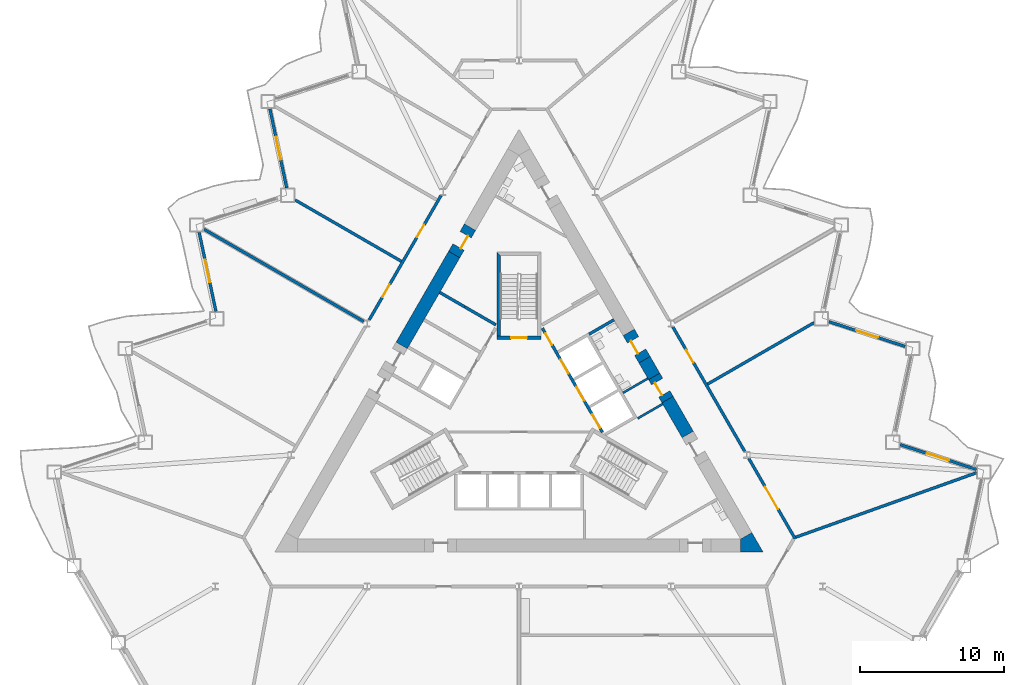
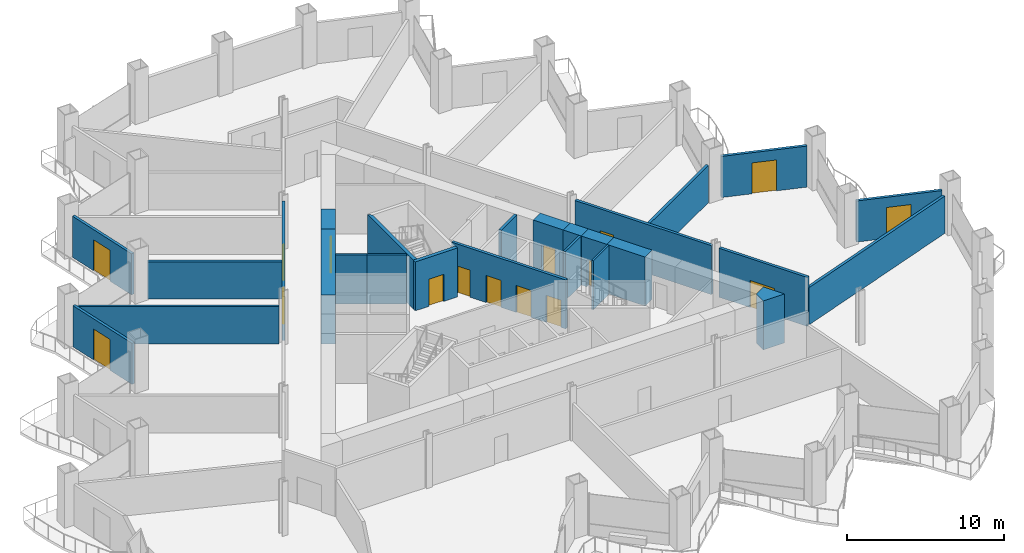
# One storey, part 11 of 21: 26 walls, 16 doors, 16 openings.
"""IFC4 building model written with IfcOpenShell, lengths in metres."""

from ifc_helpers import new_model, si_unit, direction, frame, frame_2d, origin, place, context, subcontext, project, spatial, polyline, rectangle, outline, extrude, material, layer, layer_set, type_object, element, fill, save


model = new_model("IFC4")

# Units and contexts
model_context = context("Model", 3, precision=1e-05, world=origin(), true_north=direction((0.0, 1.0)))
body_context = subcontext(model_context, "Body", "Model", "MODEL_VIEW")
ifc_project = project(units=[si_unit("LENGTHUNIT", "METRE"), si_unit("AREAUNIT", "SQUARE_METRE"), si_unit("VOLUMEUNIT", "CUBIC_METRE"), si_unit("PLANEANGLEUNIT", "RADIAN"), si_unit("MASSUNIT", "GRAM", prefix="KILO")], contexts=[model_context])

# Site, building, storey
site_placement = place(None, origin())
site = spatial("IfcSite", under=ifc_project, at=site_placement, CompositionType="ELEMENT")
building_placement = place(site_placement, origin())
building = spatial("IfcBuilding", under=site, at=building_placement, Name="Cormorant Prow Tower", CompositionType="ELEMENT")
storey_placement = place(building_placement, frame((0.0, 0.0, 80.39990234375)))
storey = spatial("IfcBuildingStorey", under=building, at=storey_placement, Name="L17", CompositionType="ELEMENT", Elevation=80.39990234375)

# Walls
ifc_material_1 = material(Name="Gypsum board partition")
ifc_layer_1 = layer(ifc_material_1, 0.14990234375)
ifc_layer_set_1 = layer_set([ifc_layer_1], Name="Gypsum board partition")
wall_type_1 = type_object("IfcWallType", Name="Core partition 150", PredefinedType="PARTITIONING", material=ifc_layer_set_1)
wall_1_placement = place(storey_placement, frame((8.268310546875, -0.509033203125, 0.0), z_axis=(0.0, 0.0, 1.0), x_axis=(0.866035824272, 0.499981950752, 0.0)))
element("IfcWall", 1, at=wall_1_placement, inside=storey, type_object=wall_type_1, Name="Service room partition", PredefinedType="PARTITIONING", context=body_context, shape_type="SweptSolid", body=[
    extrude(rectangle(XDim=2.0087890625, YDim=0.14990234375, at=frame_2d((1.00439453125, 0.0))), origin(), (0.0, 0.0, 1.0), 3.800048828125),
])
wall_2_placement = place(storey_placement, frame((8.980712890625, 2.275146484375, 0.0), z_axis=(0.0, 0.0, 1.0), x_axis=(-0.866013584312, -0.500020471368, 0.0)))
element("IfcWall", 2, at=wall_2_placement, inside=storey, type_object=wall_type_1, Name="Service room partition", PredefinedType="PARTITIONING", context=body_context, shape_type="SweptSolid", body=[
    extrude(rectangle(XDim=2.00927734375, YDim=0.14990234375, at=frame_2d((1.004638671875, 0.0))), origin(), (0.0, 0.0, 1.0), 3.800048828125),
])
ifc_material_2 = material(Name="Concrete 8000 psi", Category="concrete")
ifc_layer_2 = layer(ifc_material_2, 0.89990234375)
ifc_layer_set_2 = layer_set([ifc_layer_2], Name="Concrete 8000 psi")
wall_type_2 = type_object("IfcWallType", Name="Core shear wall 900", PredefinedType="SHEAR", material=ifc_layer_set_2)
wall_3_placement = place(storey_placement, frame((11.7548828125, -1.63037109375, 0.0), z_axis=(0.0, 0.0, 1.0), x_axis=(-0.499943114462, 0.866058244174, 0.0)))
element("IfcWall", 3, at=wall_3_placement, inside=storey, type_object=wall_type_2, Name="Core wall", PredefinedType="SHEAR", context=body_context, shape_type="SweptSolid", body=[
    extrude(rectangle(XDim=2.809326171875, YDim=0.89990234375, at=frame_2d((1.40478515625, 0.0))), origin(), (0.0, 0.0, 1.0), 3.800048828125),
])
wall_4_placement = place(storey_placement, frame((9.417724609375, 2.417724609375, 0.0), z_axis=(0.0, 0.0, 1.0), x_axis=(-0.49995335277, 0.8660523339, 0.0)))
element("IfcWall", 4, at=wall_4_placement, inside=storey, type_object=wall_type_2, Name="Core wall", PredefinedType="SHEAR", context=body_context, shape_type="SweptSolid", body=[
    extrude(rectangle(XDim=1.342529296875, YDim=0.89990234375, at=frame_2d((0.67138671875, 0.0))), origin(), (0.0, 0.0, 1.0), 3.800048828125),
])
wall_5_placement = place(storey_placement, frame((-4.514404296875, 10.910888671875, 0.0), z_axis=(0.0, 0.0, 1.0), x_axis=(-0.500006662879, -0.866021556935, 0.0)))
element("IfcWall", 5, at=wall_5_placement, inside=storey, type_object=wall_type_2, Name="Core wall", PredefinedType="SHEAR", context=body_context, shape_type="SweptSolid", body=[
    extrude(rectangle(XDim=7.31201171875, YDim=0.89990234375, at=frame_2d((3.656005859375, 0.0))), origin(), (0.0, 0.0, 1.0), 3.800048828125),
])
wall_6_placement = place(storey_placement, origin())
element("IfcWall", 6, at=wall_6_placement, inside=storey, type_object=wall_type_2, Name="Core wall corner", PredefinedType="SHEAR", context=body_context, shape_type="SweptSolid", body=[
    extrude(outline(polyline([(15.441162109375, -9.81494140625), (15.441162109375, -8.9150390625), (16.220703125, -8.465087890625), (17.0, -9.81494140625), (15.441162109375, -9.81494140625)])), origin(), (0.0, 0.0, 1.0), 3.800048828125),
])

# Wall, opening, door
wall_7_placement = place(storey_placement, frame((10.350341796875, 0.802734375, 0.0), z_axis=(0.0, 0.0, 1.0), x_axis=(-0.500081290722, 0.865978465477, 0.0)))
wall_7 = element("IfcWall", 7, at=wall_7_placement, inside=storey, type_object=wall_type_2, Name="Core wall door panel", PredefinedType="SHEAR", context=body_context, shape_type="SweptSolid", body=[
    extrude(rectangle(XDim=1.864990234375, YDim=0.89990234375, at=frame_2d((0.9326171875, 0.0))), origin(), (0.0, 0.0, 1.0), 3.800048828125),
])
opening_1_placement = place(wall_7_placement, frame((0.449951171875, 0.0, 0.0)))
opening_1 = element("IfcOpeningElement", 8, at=opening_1_placement, cuts=wall_7, Name="Opening L17-C18", PredefinedType="OPENING", context=body_context, shape_type="SweptSolid", body=[
    extrude(rectangle(XDim=1.0, YDim=2.10009765625, at=frame_2d((0.5, 1.050048828125))), frame((0.0, 0.4599609375, 0.0), z_axis=(0.0, -1.0, 0.0), x_axis=(1.0, 0.0, 0.0)), (0.0, 0.0, 1.0), 0.919921875),
])
ifc_material_3 = material(Name="Painted steel", Category="steel")
door_type_1 = type_object("IfcDoorType", Name="Service door 1000x2100", OperationType="NOTDEFINED", PredefinedType="DOOR", material=ifc_material_3)
door_1_placement = place(opening_1_placement, origin())
door_1 = element("IfcDoor", 9, at=door_1_placement, inside=storey, type_object=door_type_1, Name="Core door, Mechanical riser room", OperationType="SINGLE_SWING_RIGHT", OverallHeight=2.10009765625, OverallWidth=1.0, PredefinedType="DOOR", context=body_context, shape_type="SweptSolid", body=[
    extrude(rectangle(XDim=1.0, YDim=2.10009765625, at=frame_2d((0.5, 1.050048828125))), frame((0.0, 0.205078125, 0.0), z_axis=(0.0, -1.0, 0.0), x_axis=(1.0, 0.0, 0.0)), (0.0, 0.0, 1.0), 0.050048828125),
])
fill(opening_1, door_1)

wall_8_placement = place(storey_placement, frame((8.74658203125, 3.580322265625, 0.0), z_axis=(0.0, 0.0, 1.0), x_axis=(-0.50002983664, 0.866008176907, 0.0)))
wall_8 = element("IfcWall", 10, at=wall_8_placement, inside=storey, type_object=wall_type_2, Name="Core wall door panel", PredefinedType="SHEAR", context=body_context, shape_type="SweptSolid", body=[
    extrude(rectangle(XDim=2.199951171875, YDim=0.89990234375, at=frame_2d((1.10009765625, 0.0))), origin(), (0.0, 0.0, 1.0), 3.800048828125),
])
opening_2_placement = place(wall_8_placement, frame((0.60009765625, 0.0, 0.0)))
opening_2 = element("IfcOpeningElement", 11, at=opening_2_placement, cuts=wall_8, Name="Opening L17-C20", PredefinedType="OPENING", context=body_context, shape_type="SweptSolid", body=[
    extrude(rectangle(XDim=1.0, YDim=2.10009765625, at=frame_2d((0.5, 1.050048828125))), frame((0.0, 0.4599609375, 0.0), z_axis=(0.0, -1.0, 0.0), x_axis=(1.0, 0.0, 0.0)), (0.0, 0.0, 1.0), 0.919921875),
])
door_2_placement = place(opening_2_placement, origin())
door_2 = element("IfcDoor", 12, at=door_2_placement, inside=storey, type_object=door_type_1, Name="Core door, Toilets (women) L17", OperationType="SINGLE_SWING_LEFT", OverallHeight=2.10009765625, OverallWidth=1.0, PredefinedType="DOOR", context=body_context, shape_type="SweptSolid", body=[
    extrude(rectangle(XDim=1.0, YDim=2.10009765625, at=frame_2d((0.5, 1.050048828125))), frame((0.0, 0.205078125, 0.0), z_axis=(0.0, -1.0, 0.0), x_axis=(1.0, 0.0, 0.0)), (0.0, 0.0, 1.0), 0.050048828125),
])
fill(opening_2, door_2)

wall_9_placement = place(storey_placement, frame((-3.414306640625, 12.816162109375, 0.0), z_axis=(0.0, 0.0, 1.0), x_axis=(-0.50002983664, -0.866008176907, 0.0)))
wall_9 = element("IfcWall", 13, at=wall_9_placement, inside=storey, type_object=wall_type_2, Name="Core wall door panel", PredefinedType="SHEAR", context=body_context, shape_type="SweptSolid", body=[
    extrude(rectangle(XDim=2.199951171875, YDim=0.89990234375, at=frame_2d((1.10009765625, 0.0))), origin(), (0.0, 0.0, 1.0), 3.800048828125),
])
opening_3_placement = place(wall_9_placement, frame((0.60009765625, 0.0, 0.0)))
opening_3 = element("IfcOpeningElement", 14, at=opening_3_placement, cuts=wall_9, Name="Opening L17-C21", PredefinedType="OPENING", context=body_context, shape_type="SweptSolid", body=[
    extrude(rectangle(XDim=1.0, YDim=2.10009765625, at=frame_2d((0.5, 1.050048828125))), frame((0.0, 0.4599609375, 0.0), z_axis=(0.0, -1.0, 0.0), x_axis=(1.0, 0.0, 0.0)), (0.0, 0.0, 1.0), 0.919921875),
])
door_3_placement = place(opening_3_placement, origin())
door_3 = element("IfcDoor", 15, at=door_3_placement, inside=storey, type_object=door_type_1, Name="Core door, Electrical room", OperationType="SINGLE_SWING_LEFT", OverallHeight=2.10009765625, OverallWidth=1.0, PredefinedType="DOOR", context=body_context, shape_type="SweptSolid", body=[
    extrude(rectangle(XDim=1.0, YDim=2.10009765625, at=frame_2d((0.5, 1.050048828125))), frame((0.0, 0.205078125, 0.0), z_axis=(0.0, -1.0, 0.0), x_axis=(1.0, 0.0, 0.0)), (0.0, 0.0, 1.0), 0.050048828125),
])
fill(opening_3, door_3)

ifc_material_4 = material(Name="Gypsum board corridor wall")
ifc_layer_3 = layer(ifc_material_4, 0.199951171875)
ifc_layer_set_3 = layer_set([ifc_layer_3], Name="Gypsum board corridor wall")
wall_type_3 = type_object("IfcWallType", Name="Corridor wall 200", PredefinedType="PARTITIONING", material=ifc_layer_set_3)
wall_10_placement = place(storey_placement, frame((10.718505859375, 5.865234375, 0.0), z_axis=(0.0, 0.0, 1.0), x_axis=(0.49999175339, -0.866030164915, 0.0)))
wall_10 = element("IfcWall", 16, at=wall_10_placement, inside=storey, type_object=wall_type_3, Name="Corridor wall", PredefinedType="PARTITIONING", context=body_context, shape_type="SweptSolid", body=[
    extrude(rectangle(XDim=10.018798828125, YDim=0.199951171875, at=frame_2d((5.00927734375, 0.0))), origin(), (0.0, 0.0, 1.0), 3.800048828125),
])
opening_4_placement = place(wall_10_placement, frame((1.853515625, 0.0, 0.0)))
opening_4 = element("IfcOpeningElement", 17, at=opening_4_placement, cuts=wall_10, Name="Opening L17-F06", PredefinedType="OPENING", context=body_context, shape_type="SweptSolid", body=[
    extrude(rectangle(XDim=1.0, YDim=2.10009765625, at=frame_2d((0.5, 1.050048828125))), frame((0.0, 0.10986328125, 0.0), z_axis=(0.0, -1.0, 0.0), x_axis=(1.0, 0.0, 0.0)), (0.0, 0.0, 1.0), 0.219970703125),
])
ifc_material_5 = material(Name="Timber door leaf", Category="wood")
door_type_2 = type_object("IfcDoorType", Name="Office door 1000x2100", OperationType="NOTDEFINED", PredefinedType="DOOR", material=ifc_material_5)
door_4_placement = place(opening_4_placement, origin())
door_4 = element("IfcDoor", 18, at=door_4_placement, inside=storey, type_object=door_type_2, Name="Private office door", OperationType="SINGLE_SWING_LEFT", OverallHeight=2.10009765625, OverallWidth=1.0, PredefinedType="DOOR", context=body_context, shape_type="SweptSolid", body=[
    extrude(rectangle(XDim=1.0, YDim=2.10009765625, at=frame_2d((0.5, 1.050048828125))), frame((0.0, 0.02490234375, 0.0), z_axis=(0.0, -1.0, 0.0), x_axis=(1.0, 0.0, 0.0)), (0.0, 0.0, 1.0), 0.050048828125),
])
fill(opening_4, door_4)

# Wall, openings, doors
wall_11_placement = place(storey_placement, frame((-10.438720703125, 6.349853515625, 0.0), z_axis=(0.0, 0.0, 1.0), x_axis=(0.50001002959, 0.86601961312, 0.0)))
wall_11 = element("IfcWall", 19, at=wall_11_placement, inside=storey, type_object=wall_type_3, Name="Corridor wall", PredefinedType="PARTITIONING", context=body_context, shape_type="SweptSolid", body=[
    extrude(rectangle(XDim=10.018798828125, YDim=0.199951171875, at=frame_2d((5.00927734375, 0.0))), origin(), (0.0, 0.0, 1.0), 3.800048828125),
])
opening_5_placement = place(wall_11_placement, frame((6.664306640625, 0.0, 0.0)))
opening_5 = element("IfcOpeningElement", 20, at=opening_5_placement, cuts=wall_11, Name="Opening L17-F13", PredefinedType="OPENING", context=body_context, shape_type="SweptSolid", body=[
    extrude(rectangle(XDim=1.0, YDim=2.10009765625, at=frame_2d((0.5, 1.050048828125))), frame((0.0, 0.10986328125, 0.0), z_axis=(0.0, -1.0, 0.0), x_axis=(1.0, 0.0, 0.0)), (0.0, 0.0, 1.0), 0.219970703125),
])
opening_6_placement = place(wall_11_placement, frame((1.853515625, 0.0, 0.0)))
opening_6 = element("IfcOpeningElement", 21, at=opening_6_placement, cuts=wall_11, Name="Opening L17-F14", PredefinedType="OPENING", context=body_context, shape_type="SweptSolid", body=[
    extrude(rectangle(XDim=1.0, YDim=2.10009765625, at=frame_2d((0.5, 1.050048828125))), frame((0.0, 0.10986328125, 0.0), z_axis=(0.0, -1.0, 0.0), x_axis=(1.0, 0.0, 0.0)), (0.0, 0.0, 1.0), 0.219970703125),
])
door_5_placement = place(opening_5_placement, origin())
door_5 = element("IfcDoor", 22, at=door_5_placement, inside=storey, type_object=door_type_2, Name="Private office door", OperationType="SINGLE_SWING_LEFT", OverallHeight=2.10009765625, OverallWidth=1.0, PredefinedType="DOOR", context=body_context, shape_type="SweptSolid", body=[
    extrude(rectangle(XDim=1.0, YDim=2.10009765625, at=frame_2d((0.5, 1.050048828125))), frame((0.0, 0.02490234375, 0.0), z_axis=(0.0, -1.0, 0.0), x_axis=(1.0, 0.0, 0.0)), (0.0, 0.0, 1.0), 0.050048828125),
])
fill(opening_5, door_5)
door_6_placement = place(opening_6_placement, origin())
door_6 = element("IfcDoor", 23, at=door_6_placement, inside=storey, type_object=door_type_2, Name="Private office door", OperationType="SINGLE_SWING_RIGHT", OverallHeight=2.10009765625, OverallWidth=1.0, PredefinedType="DOOR", context=body_context, shape_type="SweptSolid", body=[
    extrude(rectangle(XDim=1.0, YDim=2.10009765625, at=frame_2d((0.5, 1.050048828125))), frame((0.0, 0.02490234375, 0.0), z_axis=(0.0, -1.0, 0.0), x_axis=(1.0, 0.0, 0.0)), (0.0, 0.0, 1.0), 0.050048828125),
])
fill(opening_6, door_6)

# Wall, opening, door
wall_12_placement = place(storey_placement, frame((16.007568359375, -3.2958984375, 0.0), z_axis=(0.0, 0.0, 1.0), x_axis=(0.499984737558, -0.86603421538, 0.0)))
wall_12 = element("IfcWall", 24, at=wall_12_placement, inside=storey, type_object=wall_type_3, Name="Corridor wall", PredefinedType="PARTITIONING", context=body_context, shape_type="SweptSolid", body=[
    extrude(rectangle(XDim=6.472900390625, YDim=0.199951171875, at=frame_2d((3.236328125, 0.0))), origin(), (0.0, 0.0, 1.0), 3.800048828125),
])
opening_7_placement = place(wall_12_placement, frame((2.285400390625, 0.0, 0.0)))
opening_7 = element("IfcOpeningElement", 25, at=opening_7_placement, cuts=wall_12, Name="Opening L17-F05", PredefinedType="OPENING", context=body_context, shape_type="SweptSolid", body=[
    extrude(rectangle(XDim=1.800048828125, YDim=2.10009765625, at=frame_2d((0.89990234375, 1.050048828125))), frame((0.0, 0.10986328125, 0.0), z_axis=(0.0, -1.0, 0.0), x_axis=(1.0, 0.0, 0.0)), (0.0, 0.0, 1.0), 0.219970703125),
])
ifc_material_6 = material(Name="Timber door leaf", Category="wood")
door_type_3 = type_object("IfcDoorType", Name="Double door 1800x2100", OperationType="DOUBLE_DOOR_SINGLE_SWING", PredefinedType="DOOR", material=ifc_material_6)
door_7_placement = place(opening_7_placement, origin())
door_7 = element("IfcDoor", 26, at=door_7_placement, inside=storey, type_object=door_type_3, Name="Open-plan office door", OperationType="DOUBLE_DOOR_SINGLE_SWING", OverallHeight=2.10009765625, OverallWidth=1.800048828125, PredefinedType="DOOR", context=body_context, shape_type="SweptSolid", body=[
    extrude(rectangle(XDim=1.800048828125, YDim=2.10009765625, at=frame_2d((0.89990234375, 1.050048828125))), frame((0.0, 0.02490234375, 0.0), z_axis=(0.0, -1.0, 0.0), x_axis=(1.0, 0.0, 0.0)), (0.0, 0.0, 1.0), 0.050048828125),
])
fill(opening_7, door_7)

# Walls
ifc_material_7 = material(Name="Gypsum board demising wall")
ifc_layer_4 = layer(ifc_material_7, 0.199951171875)
ifc_layer_set_4 = layer_set([ifc_layer_4], Name="Gypsum board demising wall")
wall_type_4 = type_object("IfcWallType", Name="Demising wall 200", PredefinedType="PARTITIONING", material=ifc_layer_set_4)
wall_13_placement = place(storey_placement, frame((19.2880859375, -8.78125, 0.0), z_axis=(0.0, 0.0, 1.0), x_axis=(0.94194008836, 0.33578098508, 0.0)))
element("IfcWall", 27, at=wall_13_placement, inside=storey, type_object=wall_type_4, Name="Demising wall", PredefinedType="PARTITIONING", context=body_context, shape_type="SweptSolid", body=[
    extrude(rectangle(XDim=13.367431640625, YDim=0.199951171875, at=frame_2d((6.68359375, 0.0))), origin(), (0.0, 0.0, 1.0), 2.885498046875),
])
wall_14_placement = place(storey_placement, frame((-21.947265625, 12.671142578125, 0.0), z_axis=(0.0, 0.0, 1.0), x_axis=(0.866026729935, -0.499997703033, 0.0)))
element("IfcWall", 28, at=wall_14_placement, inside=storey, type_object=wall_type_4, Name="Demising wall", PredefinedType="PARTITIONING", context=body_context, shape_type="SweptSolid", body=[
    extrude(rectangle(XDim=12.84765625, YDim=0.199951171875, at=frame_2d((6.423828125, 0.0))), origin(), (0.0, 0.0, 1.0), 2.885498046875),
])
wall_15_placement = place(storey_placement, frame((13.13525390625, 1.87890625, 0.0), z_axis=(0.0, 0.0, 1.0), x_axis=(0.866027626846, 0.499996149525, 0.0)))
element("IfcWall", 29, at=wall_15_placement, inside=storey, type_object=wall_type_4, Name="Demising wall", PredefinedType="PARTITIONING", context=body_context, shape_type="SweptSolid", body=[
    extrude(rectangle(XDim=8.57080078125, YDim=0.199951171875, at=frame_2d((4.285400390625, 0.0))), origin(), (0.0, 0.0, 1.0), 2.885498046875),
])
wall_16_placement = place(storey_placement, frame((-15.591796875, 14.70654296875, 0.0), z_axis=(0.0, 0.0, 1.0), x_axis=(0.866032315796, -0.499988027854, 0.0)))
element("IfcWall", 30, at=wall_16_placement, inside=storey, type_object=wall_type_4, Name="Demising wall", PredefinedType="PARTITIONING", context=body_context, shape_type="SweptSolid", body=[
    extrude(rectangle(XDim=8.541259765625, YDim=0.199951171875, at=frame_2d((4.2705078125, 0.0))), origin(), (0.0, 0.0, 1.0), 2.885498046875),
])

# Wall, openings, doors
ifc_material_8 = material(Name="Concrete 5000 psi", Category="concrete")
ifc_layer_5 = layer(ifc_material_8, 0.199951171875)
ifc_layer_set_5 = layer_set([ifc_layer_5], Name="Concrete 5000 psi")
wall_type_5 = type_object("IfcWallType", Name="Lift lobby wall 200", PredefinedType="SOLIDWALL", material=ifc_layer_set_5)
wall_17_placement = place(storey_placement, frame((5.817138671875, -1.4755859375, 0.0), z_axis=(0.0, 0.0, 1.0), x_axis=(-0.500002616675, 0.866023893041, 0.0)))
wall_17 = element("IfcWall", 31, at=wall_17_placement, inside=storey, type_object=wall_type_5, Name="Lift lobby wall, ENE block", PredefinedType="SOLIDWALL", context=body_context, shape_type="SweptSolid", body=[
    extrude(rectangle(XDim=8.373046875, YDim=0.199951171875, at=frame_2d((4.1865234375, 0.0))), origin(), (0.0, 0.0, 1.0), 3.800048828125),
])
opening_8_placement = place(wall_17_placement, frame((0.336669921875, 0.0, 0.0)))
opening_8 = element("IfcOpeningElement", 32, at=opening_8_placement, cuts=wall_17, Name="Opening L17-C05", PredefinedType="OPENING", context=body_context, shape_type="SweptSolid", body=[
    extrude(rectangle(XDim=1.10009765625, YDim=2.10009765625, at=frame_2d((0.550048828125, 1.050048828125))), frame((0.0, 0.10986328125, 0.0), z_axis=(0.0, -1.0, 0.0), x_axis=(1.0, 0.0, 0.0)), (0.0, 0.0, 1.0), 0.219970703125),
])
opening_9_placement = place(wall_17_placement, frame((2.53662109375, 0.0, 0.0)))
opening_9 = element("IfcOpeningElement", 33, at=opening_9_placement, cuts=wall_17, Name="Opening L17-C06", PredefinedType="OPENING", context=body_context, shape_type="SweptSolid", body=[
    extrude(rectangle(XDim=1.10009765625, YDim=2.10009765625, at=frame_2d((0.550048828125, 1.050048828125))), frame((0.0, 0.10986328125, 0.0), z_axis=(0.0, -1.0, 0.0), x_axis=(1.0, 0.0, 0.0)), (0.0, 0.0, 1.0), 0.219970703125),
])
opening_10_placement = place(wall_17_placement, frame((4.736572265625, 0.0, 0.0)))
opening_10 = element("IfcOpeningElement", 34, at=opening_10_placement, cuts=wall_17, Name="Opening L17-C07", PredefinedType="OPENING", context=body_context, shape_type="SweptSolid", body=[
    extrude(rectangle(XDim=1.10009765625, YDim=2.10009765625, at=frame_2d((0.550048828125, 1.050048828125))), frame((0.0, 0.10986328125, 0.0), z_axis=(0.0, -1.0, 0.0), x_axis=(1.0, 0.0, 0.0)), (0.0, 0.0, 1.0), 0.219970703125),
])
opening_11_placement = place(wall_17_placement, frame((7.03662109375, 0.0, 0.0)))
opening_11 = element("IfcOpeningElement", 35, at=opening_11_placement, cuts=wall_17, Name="Opening L17-C08", PredefinedType="OPENING", context=body_context, shape_type="SweptSolid", body=[
    extrude(rectangle(XDim=0.89990234375, YDim=2.10009765625, at=frame_2d((0.449951171875, 1.050048828125))), frame((0.0, 0.10986328125, 0.0), z_axis=(0.0, -1.0, 0.0), x_axis=(1.0, 0.0, 0.0)), (0.0, 0.0, 1.0), 0.219970703125),
])
ifc_material_9 = material(Name="Painted steel", Category="steel")
door_type_4 = type_object("IfcDoorType", Name="Lift landing door 1100x2100", OperationType="SLIDING_TO_LEFT", PredefinedType="DOOR", material=ifc_material_9)
door_8_placement = place(opening_8_placement, origin())
door_8 = element("IfcDoor", 36, at=door_8_placement, inside=storey, type_object=door_type_4, Name="Landing door LR2", OperationType="SLIDING_TO_LEFT", OverallHeight=2.10009765625, OverallWidth=1.10009765625, PredefinedType="DOOR", context=body_context, shape_type="SweptSolid", body=[
    extrude(rectangle(XDim=1.10009765625, YDim=2.10009765625, at=frame_2d((0.550048828125, 1.050048828125))), frame((0.0, 0.02490234375, 0.0), z_axis=(0.0, -1.0, 0.0), x_axis=(1.0, 0.0, 0.0)), (0.0, 0.0, 1.0), 0.050048828125),
])
fill(opening_8, door_8)
door_9_placement = place(opening_9_placement, origin())
door_9 = element("IfcDoor", 37, at=door_9_placement, inside=storey, type_object=door_type_4, Name="Landing door LR3", OperationType="SLIDING_TO_LEFT", OverallHeight=2.10009765625, OverallWidth=1.10009765625, PredefinedType="DOOR", context=body_context, shape_type="SweptSolid", body=[
    extrude(rectangle(XDim=1.10009765625, YDim=2.10009765625, at=frame_2d((0.550048828125, 1.050048828125))), frame((0.0, 0.02490234375, 0.0), z_axis=(0.0, -1.0, 0.0), x_axis=(1.0, 0.0, 0.0)), (0.0, 0.0, 1.0), 0.050048828125),
])
fill(opening_9, door_9)
door_10_placement = place(opening_10_placement, origin())
door_10 = element("IfcDoor", 38, at=door_10_placement, inside=storey, type_object=door_type_4, Name="Landing door LR4", OperationType="SLIDING_TO_LEFT", OverallHeight=2.10009765625, OverallWidth=1.10009765625, PredefinedType="DOOR", context=body_context, shape_type="SweptSolid", body=[
    extrude(rectangle(XDim=1.10009765625, YDim=2.10009765625, at=frame_2d((0.550048828125, 1.050048828125))), frame((0.0, 0.02490234375, 0.0), z_axis=(0.0, -1.0, 0.0), x_axis=(1.0, 0.0, 0.0)), (0.0, 0.0, 1.0), 0.050048828125),
])
fill(opening_10, door_10)
ifc_material_10 = material(Name="Painted steel", Category="steel")
door_type_5 = type_object("IfcDoorType", Name="Service door 900x2100", OperationType="NOTDEFINED", PredefinedType="DOOR", material=ifc_material_10)
door_11_placement = place(opening_11_placement, origin())
door_11 = element("IfcDoor", 39, at=door_11_placement, inside=storey, type_object=door_type_5, Name="Service door, Refuse store", OperationType="SINGLE_SWING_RIGHT", OverallHeight=2.10009765625, OverallWidth=0.89990234375, PredefinedType="DOOR", context=body_context, shape_type="SweptSolid", body=[
    extrude(rectangle(XDim=0.89990234375, YDim=2.10009765625, at=frame_2d((0.449951171875, 1.050048828125))), frame((0.0, 0.02490234375, 0.0), z_axis=(0.0, -1.0, 0.0), x_axis=(1.0, 0.0, 0.0)), (0.0, 0.0, 1.0), 0.050048828125),
])
fill(opening_11, door_11)

# Walls
ifc_material_11 = material(Name="Concrete 8000 psi", Category="concrete")
ifc_layer_6 = layer(ifc_material_11, 0.199951171875)
ifc_layer_set_6 = layer_set([ifc_layer_6], Name="Concrete 8000 psi")
wall_type_6 = type_object("IfcWallType", Name="Lift shaft wall 200", PredefinedType="SHEAR", material=ifc_layer_set_6)
wall_18_placement = place(storey_placement, frame((4.880859375, 5.3583984375, 0.0), z_axis=(0.0, 0.0, 1.0), x_axis=(0.866035824272, 0.499981950752, 0.0)))
element("IfcWall", 40, at=wall_18_placement, inside=storey, type_object=wall_type_6, Name="Store side wall", PredefinedType="SHEAR", context=body_context, shape_type="SweptSolid", body=[
    extrude(rectangle(XDim=2.0087890625, YDim=0.199951171875, at=frame_2d((1.00439453125, 0.0))), origin(), (0.0, 0.0, 1.0), 3.800048828125),
])
wall_19_placement = place(storey_placement, origin())
element("IfcWall", 41, at=wall_19_placement, inside=storey, type_object=wall_type_6, Name="Lift shaft walls, WNW block", PredefinedType="SHEAR", context=body_context, shape_type="SweptSolid", body=[
    extrude(outline(polyline([(-3.730712890625, 7.35009765625), (-1.560546875, 6.09716796875), (-1.660400390625, 5.923828125), (-3.830810546875, 7.177001953125), (-3.730712890625, 7.35009765625)])), origin(), (0.0, 0.0, 1.0), 3.800048828125),
])
wall_20_placement = place(storey_placement, frame((-3.78076171875, 7.263427734375, 0.0), z_axis=(0.0, 0.0, 1.0), x_axis=(-0.865983199114, 0.50007309351, 0.0)))
element("IfcWall", 42, at=wall_20_placement, inside=storey, type_object=wall_type_6, Name="Store side wall", PredefinedType="SHEAR", context=body_context, shape_type="SweptSolid", body=[
    extrude(rectangle(XDim=2.009033203125, YDim=0.199951171875, at=frame_2d((1.00439453125, 0.0))), origin(), (0.0, 0.0, 1.0), 3.800048828125),
])
ifc_material_12 = material(Name="Concrete 8000 psi", Category="concrete")
ifc_layer_7 = layer(ifc_material_12, 0.25)
ifc_layer_set_7 = layer_set([ifc_layer_7], Name="Concrete 8000 psi")
wall_type_7 = type_object("IfcWallType", Name="Stair wall 250", PredefinedType="SHEAR", material=ifc_layer_set_7)
wall_21_placement = place(storey_placement, origin())
element("IfcWall", 43, at=wall_21_placement, inside=storey, type_object=wall_type_7, Name="Stair ST3 enclosure wall (flank)", PredefinedType="SHEAR", context=body_context, shape_type="SweptSolid", body=[
    extrude(outline(polyline([(-1.2939453125, 10.8369140625), (-1.5439453125, 11.0869140625), (-1.5439453125, 5.23681640625), (-1.2939453125, 5.23681640625), (-1.2939453125, 10.8369140625)])), origin(), (0.0, 0.0, 1.0), 3.800048828125),
])

# Wall, opening, door
wall_22_placement = place(storey_placement, frame((1.5439453125, 5.11181640625, 0.0), z_axis=(0.0, 0.0, 1.0), x_axis=(-1.0, 0.0, 0.0)))
wall_22 = element("IfcWall", 44, at=wall_22_placement, inside=storey, type_object=wall_type_7, Name="Stair ST3 door wall", PredefinedType="SHEAR", context=body_context, shape_type="SweptSolid", body=[
    extrude(rectangle(XDim=3.087890625, YDim=0.25, at=frame_2d((1.5439453125, 0.0))), origin(), (0.0, 0.0, 1.0), 3.800048828125),
])
opening_12_placement = place(wall_22_placement, frame((0.993896484375, 0.0, 0.0)))
opening_12 = element("IfcOpeningElement", 45, at=opening_12_placement, cuts=wall_22, Name="Opening L17-C14", PredefinedType="OPENING", context=body_context, shape_type="SweptSolid", body=[
    extrude(rectangle(XDim=1.10009765625, YDim=2.10009765625, at=frame_2d((0.550048828125, 1.050048828125))), frame((0.0, 0.135009765625, 0.0), z_axis=(0.0, -1.0, 0.0), x_axis=(1.0, 0.0, 0.0)), (0.0, 0.0, 1.0), 0.27001953125),
])
ifc_material_13 = material(Name="Painted steel", Category="steel")
door_type_6 = type_object("IfcDoorType", Name="Stair door 1100x2100", OperationType="NOTDEFINED", PredefinedType="DOOR", material=ifc_material_13)
door_12_placement = place(opening_12_placement, origin())
door_12 = element("IfcDoor", 46, at=door_12_placement, inside=storey, type_object=door_type_6, Name="Stair ST3 door", OperationType="SINGLE_SWING_LEFT", OverallHeight=2.10009765625, OverallWidth=1.10009765625, PredefinedType="DOOR", context=body_context, shape_type="SweptSolid", body=[
    extrude(rectangle(XDim=1.10009765625, YDim=2.10009765625, at=frame_2d((0.550048828125, 1.050048828125))), frame((0.0, 0.02490234375, 0.0), z_axis=(0.0, -1.0, 0.0), x_axis=(1.0, 0.0, 0.0)), (0.0, 0.0, 1.0), 0.050048828125),
])
fill(opening_12, door_12)

ifc_material_14 = material(Name="Terracotta", Category="masonry")
ifc_layer_8 = layer(ifc_material_14, 0.199951171875)
ifc_layer_set_8 = layer_set([ifc_layer_8], Name="Terracotta")
wall_type_8 = type_object("IfcWallType", Name="Terracotta jamb wall 200", PredefinedType="SOLIDWALL", material=ifc_layer_set_8)
wall_23_placement = place(storey_placement, frame((31.86474609375, -4.06005859375, 0.0), z_axis=(0.0, 0.0, 1.0), x_axis=(-0.951054004345, 0.309024725255, 0.0)))
wall_23 = element("IfcWall", 47, at=wall_23_placement, inside=storey, type_object=wall_type_8, Name="Terracotta jamb wall ENE01", PredefinedType="SOLIDWALL", context=body_context, shape_type="SweptSolid", body=[
    extrude(rectangle(XDim=5.579345703125, YDim=0.199951171875, at=frame_2d((2.78955078125, 0.0))), origin(), (0.0, 0.0, 1.0), 3.18896484375),
])
opening_13_placement = place(wall_23_placement, frame((2.01220703125, 0.0, 0.0)))
opening_13 = element("IfcOpeningElement", 48, at=opening_13_placement, cuts=wall_23, Name="Opening ED17.06", PredefinedType="OPENING", context=body_context, shape_type="SweptSolid", body=[
    extrude(rectangle(XDim=1.60009765625, YDim=2.39990234375, at=frame_2d((0.800048828125, 1.199951171875))), frame((0.0, 0.10986328125, 0.0), z_axis=(0.0, -1.0, 0.0), x_axis=(1.0, 0.0, 0.0)), (0.0, 0.0, 1.0), 0.219970703125),
])
ifc_material_15 = material(Name="Aluminium 6063-T6", Category="aluminium")
door_type_7 = type_object("IfcDoorType", Name="Balcony door 1600x2400", OperationType="DOUBLE_DOOR_SINGLE_SWING", PredefinedType="DOOR", material=ifc_material_15)
door_13_placement = place(opening_13_placement, origin())
door_13 = element("IfcDoor", 49, at=door_13_placement, inside=storey, type_object=door_type_7, Name="Balcony door ENE01 ED17.06", OperationType="DOUBLE_DOOR_SINGLE_SWING", OverallHeight=2.39990234375, OverallWidth=1.60009765625, PredefinedType="DOOR", context=body_context, shape_type="SweptSolid", body=[
    extrude(rectangle(XDim=1.60009765625, YDim=2.39990234375, at=frame_2d((0.800048828125, 1.199951171875))), frame((0.0, 0.02490234375, 0.0), z_axis=(0.0, -1.0, 0.0), x_axis=(1.0, 0.0, 0.0)), (0.0, 0.0, 1.0), 0.050048828125),
])
fill(opening_13, door_13)

wall_24_placement = place(storey_placement, frame((26.898681640625, 4.50537109375, 0.0), z_axis=(0.0, 0.0, 1.0), x_axis=(-0.951054004345, 0.309024725255, 0.0)))
wall_24 = element("IfcWall", 50, at=wall_24_placement, inside=storey, type_object=wall_type_8, Name="Terracotta jamb wall ENE03", PredefinedType="SOLIDWALL", context=body_context, shape_type="SweptSolid", body=[
    extrude(rectangle(XDim=5.579345703125, YDim=0.199951171875, at=frame_2d((2.78955078125, 0.0))), origin(), (0.0, 0.0, 1.0), 3.18896484375),
])
opening_14_placement = place(wall_24_placement, frame((1.9853515625, 0.0, 0.0)))
opening_14 = element("IfcOpeningElement", 51, at=opening_14_placement, cuts=wall_24, Name="Opening ED17.07", PredefinedType="OPENING", context=body_context, shape_type="SweptSolid", body=[
    extrude(rectangle(XDim=1.60009765625, YDim=2.39990234375, at=frame_2d((0.800048828125, 1.199951171875))), frame((0.0, 0.10986328125, 0.0), z_axis=(0.0, -1.0, 0.0), x_axis=(1.0, 0.0, 0.0)), (0.0, 0.0, 1.0), 0.219970703125),
])
door_14_placement = place(opening_14_placement, origin())
door_14 = element("IfcDoor", 52, at=door_14_placement, inside=storey, type_object=door_type_7, Name="Balcony door ENE03 ED17.07", OperationType="DOUBLE_DOOR_SINGLE_SWING", OverallHeight=2.39990234375, OverallWidth=1.60009765625, PredefinedType="DOOR", context=body_context, shape_type="SweptSolid", body=[
    extrude(rectangle(XDim=1.60009765625, YDim=2.39990234375, at=frame_2d((0.800048828125, 1.199951171875))), frame((0.0, 0.02490234375, 0.0), z_axis=(0.0, -1.0, 0.0), x_axis=(1.0, 0.0, 0.0)), (0.0, 0.0, 1.0), 0.050048828125),
])
fill(opening_14, door_14)

wall_25_placement = place(storey_placement, frame((-17.352783203125, 21.050537109375, 0.0), z_axis=(0.0, 0.0, 1.0), x_axis=(0.207901831982, -0.978149696242, 0.0)))
wall_25 = element("IfcWall", 53, at=wall_25_placement, inside=storey, type_object=wall_type_8, Name="Terracotta jamb wall WNW03", PredefinedType="SOLIDWALL", context=body_context, shape_type="SweptSolid", body=[
    extrude(rectangle(XDim=5.626220703125, YDim=0.199951171875, at=frame_2d((2.81298828125, 0.0))), origin(), (0.0, 0.0, 1.0), 3.18896484375),
])
opening_15_placement = place(wall_25_placement, frame((1.993896484375, 0.0, 0.0)))
opening_15 = element("IfcOpeningElement", 54, at=opening_15_placement, cuts=wall_25, Name="Opening ED17.12", PredefinedType="OPENING", context=body_context, shape_type="SweptSolid", body=[
    extrude(rectangle(XDim=1.60009765625, YDim=2.39990234375, at=frame_2d((0.800048828125, 1.199951171875))), frame((0.0, 0.10986328125, 0.0), z_axis=(0.0, -1.0, 0.0), x_axis=(1.0, 0.0, 0.0)), (0.0, 0.0, 1.0), 0.219970703125),
])
door_15_placement = place(opening_15_placement, origin())
door_15 = element("IfcDoor", 55, at=door_15_placement, inside=storey, type_object=door_type_7, Name="Balcony door WNW03 ED17.12", OperationType="DOUBLE_DOOR_SINGLE_SWING", OverallHeight=2.39990234375, OverallWidth=1.60009765625, PredefinedType="DOOR", context=body_context, shape_type="SweptSolid", body=[
    extrude(rectangle(XDim=1.60009765625, YDim=2.39990234375, at=frame_2d((0.800048828125, 1.199951171875))), frame((0.0, 0.02490234375, 0.0), z_axis=(0.0, -1.0, 0.0), x_axis=(1.0, 0.0, 0.0)), (0.0, 0.0, 1.0), 0.050048828125),
])
fill(opening_15, door_15)

wall_26_placement = place(storey_placement, frame((-22.283935546875, 12.448974609375, 0.0), z_axis=(0.0, 0.0, 1.0), x_axis=(0.207943350029, -0.978140870825, 0.0)))
wall_26 = element("IfcWall", 56, at=wall_26_placement, inside=storey, type_object=wall_type_8, Name="Terracotta jamb wall WNW05", PredefinedType="SOLIDWALL", context=body_context, shape_type="SweptSolid", body=[
    extrude(rectangle(XDim=5.626220703125, YDim=0.199951171875, at=frame_2d((2.81298828125, 0.0))), origin(), (0.0, 0.0, 1.0), 3.18896484375),
])
opening_16_placement = place(wall_26_placement, frame((1.948486328125, 0.0, 0.0)))
opening_16 = element("IfcOpeningElement", 57, at=opening_16_placement, cuts=wall_26, Name="Opening ED17.13", PredefinedType="OPENING", context=body_context, shape_type="SweptSolid", body=[
    extrude(rectangle(XDim=1.60009765625, YDim=2.39990234375, at=frame_2d((0.800048828125, 1.199951171875))), frame((0.0, 0.10986328125, 0.0), z_axis=(0.0, -1.0, 0.0), x_axis=(1.0, 0.0, 0.0)), (0.0, 0.0, 1.0), 0.219970703125),
])
door_16_placement = place(opening_16_placement, origin())
door_16 = element("IfcDoor", 58, at=door_16_placement, inside=storey, type_object=door_type_7, Name="Balcony door WNW05 ED17.13", OperationType="DOUBLE_DOOR_SINGLE_SWING", OverallHeight=2.39990234375, OverallWidth=1.60009765625, PredefinedType="DOOR", context=body_context, shape_type="SweptSolid", body=[
    extrude(rectangle(XDim=1.60009765625, YDim=2.39990234375, at=frame_2d((0.800048828125, 1.199951171875))), frame((0.0, 0.02490234375, 0.0), z_axis=(0.0, -1.0, 0.0), x_axis=(1.0, 0.0, 0.0)), (0.0, 0.0, 1.0), 0.050048828125),
])
fill(opening_16, door_16)

save(model, "model.ifc")
